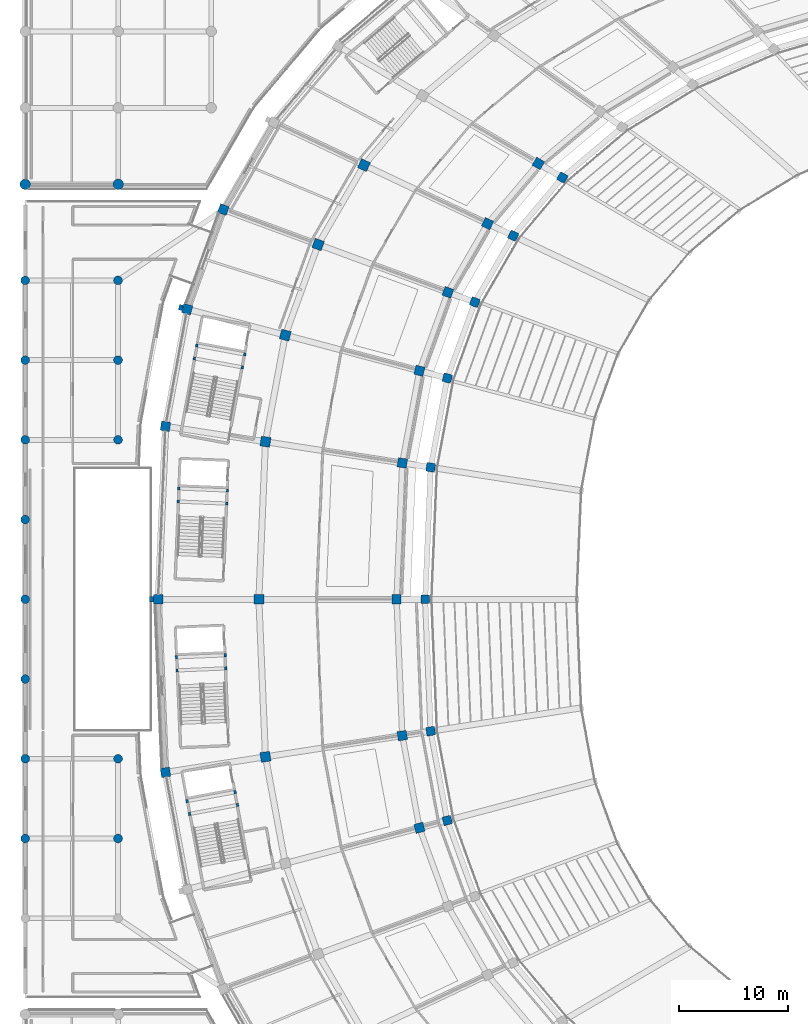
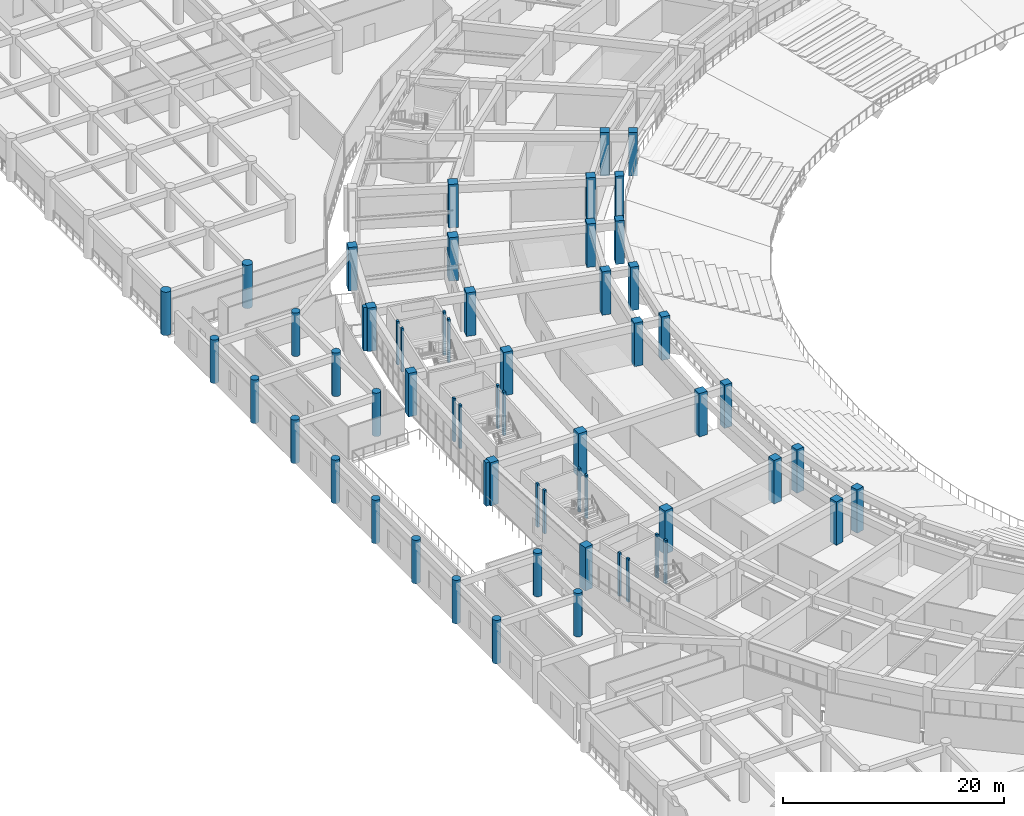
# One storey, part 3 of 152: 60 columns.
"""IFC4 building model written with IfcOpenShell, lengths in metres."""

from ifc_helpers import new_model, si_unit, direction, frame, origin, origin_2d, place, context, subcontext, project, spatial, rectangle, circle, extrude, material, material_profile, profile_set, type_object, element, save


model = new_model("IFC4")

# Units and contexts
model_context = context("Model", 3, precision=1e-05, world=origin(), true_north=direction((0.0, 1.0)))
body_context = subcontext(model_context, "Body", "Model", "MODEL_VIEW")
ifc_project = project(units=[si_unit("LENGTHUNIT", "METRE"), si_unit("AREAUNIT", "SQUARE_METRE"), si_unit("VOLUMEUNIT", "CUBIC_METRE"), si_unit("PLANEANGLEUNIT", "RADIAN"), si_unit("MASSUNIT", "GRAM", prefix="KILO")], contexts=[model_context])

# Site, building, storey
site_placement = place(None, origin())
site = spatial("IfcSite", under=ifc_project, at=site_placement, CompositionType="ELEMENT")
building_placement = place(site_placement, origin())
building = spatial("IfcBuilding", under=site, at=building_placement, Name="Mphavela Belvedere Stadium", CompositionType="ELEMENT")
storey_placement = place(building_placement, frame((0.0, 0.0, 5.39990234375)))
storey = spatial("IfcBuildingStorey", under=building, at=storey_placement, Name="L01", CompositionType="ELEMENT", Elevation=5.39990234375)

# Columns
ifc_material_1 = material(Name="Concrete C40/50", Category="concrete")
ifc_material_profile_1 = material_profile(ifc_material_1, rectangle(XDim=0.300048828125, YDim=0.219970703125, at=origin_2d()), Name="RC 300x220")
ifc_profile_set_1 = profile_set([ifc_material_profile_1], Name="Concrete C40/50")
column_type_1 = type_object("IfcColumnType", Name="COL-CORE-POST-300", PredefinedType="COLUMN", material=ifc_profile_set_1)
for number, where, z_axis, x_axis, name in (
    (1, (19.88623046875, 108.2353515625, 0.0), (0.0, 0.0, 1.0), (0.182578735093, 0.983191235463, 0.0), "Core C06 stair frame column L01-1"),
    (2, (20.105224609375, 109.415283203125, 0.0), (0.0, 0.0, 1.0), (0.182578735093, 0.983191235463, 0.0), "Core C06 stair frame column L01-2"),
    (3, (15.71044921875, 110.231201171875, 0.0), (0.0, 0.0, 1.0), (0.182578735093, 0.983191235463, 0.0), "Core C06 stair frame column L01-3"),
    (4, (15.491455078125, 109.051513671875, 0.0), (0.0, 0.0, 1.0), (0.182578735093, 0.983191235463, 0.0), "Core C06 stair frame column L01-4"),
    (5, (18.47021484375, 95.76318359375, 0.0), (0.0, 0.0, 1.0), (0.041875653729, 0.999122830099, 0.0), "Core C07 stair frame column L01-1"),
    (6, (18.5205078125, 96.96240234375, 0.0), (0.0, 0.0, 1.0), (0.041875653729, 0.999122830099, 0.0), "Core C07 stair frame column L01-2"),
    (7, (14.05419921875, 97.1494140625, 0.0), (0.0, 0.0, 1.0), (0.041875653729, 0.999122830099, 0.0), "Core C07 stair frame column L01-3"),
    (8, (14.004150390625, 95.950439453125, 0.0), (0.0, 0.0, 1.0), (0.041875653729, 0.999122830099, 0.0), "Core C07 stair frame column L01-4"),
    (9, (18.367919921875, 80.674560546875, 0.0), (0.0, 0.0, 1.0), (-0.041875653729, 0.999122830099, 0.0), "Core C08 stair frame column L01-1"),
    (10, (18.317626953125, 81.87353515625, 0.0), (0.0, 0.0, 1.0), (-0.041875653729, 0.999122830099, 0.0), "Core C08 stair frame column L01-2"),
    (11, (13.8515625, 81.686279296875, 0.0), (0.0, 0.0, 1.0), (-0.041875653729, 0.999122830099, 0.0), "Core C08 stair frame column L01-3"),
    (12, (13.90185546875, 80.4873046875, 0.0), (0.0, 0.0, 1.0), (-0.041875653729, 0.999122830099, 0.0), "Core C08 stair frame column L01-4"),
    (13, (19.440673828125, 68.16357421875, 0.0), (0.0, 0.0, 1.0), (-0.182578735093, 0.983191235463, 0.0), "Core C09 stair frame column L01-1"),
    (14, (19.2216796875, 69.343505859375, 0.0), (0.0, 0.0, 1.0), (-0.182578735093, 0.983191235463, 0.0), "Core C09 stair frame column L01-2"),
    (15, (14.82666015625, 68.52734375, 0.0), (0.0, 0.0, 1.0), (-0.182578735093, 0.983191235463, 0.0), "Core C09 stair frame column L01-3"),
    (16, (15.0458984375, 67.347412109375, 0.0), (0.0, 0.0, 1.0), (-0.182578735093, 0.983191235463, 0.0), "Core C09 stair frame column L01-4"),
):
    element("IfcColumn", number, at=place(storey_placement, frame(where, z_axis=z_axis, x_axis=x_axis)), inside=storey, type_object=column_type_1, Name=name, PredefinedType="COLUMN", context=body_context, shape_type="SweptSolid", body=[
        extrude(rectangle(XDim=0.300048828125, YDim=0.219970703125, at=origin_2d()), origin(), (0.0, 0.0, 1.0), 4.800048828125),
    ])
ifc_material_2 = material(Name="Concrete C40/50", Category="concrete")
ifc_material_profile_2 = material_profile(ifc_material_2, circle(Radius=0.47509765625, at=origin_2d()), Name="COL D950")
ifc_profile_set_2 = profile_set([ifc_material_profile_2], Name="Concrete C40/50")
column_type_2 = type_object("IfcColumnType", Name="COL-DORIC-950", PredefinedType="COLUMN", material=ifc_profile_set_2)
for number, where, z_axis, x_axis, name in (
    (17, (0.0, 125.0, 0.0), (0.0, 0.0, 1.0), (1.0, 0.0, 0.0), "North Mast and Ceremonial End Forecourt classical column L01 1-1"),
    (18, (8.51904296875, 125.0, 0.0), (0.0, 0.0, 1.0), (1.0, 0.0, 0.0), "North Mast and Ceremonial End Forecourt classical column L01 2-1"),
):
    element("IfcColumn", number, at=place(storey_placement, frame(where, z_axis=z_axis, x_axis=x_axis)), inside=storey, type_object=column_type_2, Name=name, PredefinedType="COLUMN", context=body_context, shape_type="SweptSolid", body=[
        extrude(circle(Radius=0.47509765625, at=origin_2d()), origin(), (0.0, 0.0, 1.0), 4.800048828125),
    ])
ifc_material_3 = material(Name="Concrete C40/50", Category="concrete")
ifc_material_profile_3 = material_profile(ifc_material_3, circle(Radius=0.39990234375, at=origin_2d()), Name="COL D800")
ifc_profile_set_3 = profile_set([ifc_material_profile_3], Name="Concrete C40/50")
column_type_3 = type_object("IfcColumnType", Name="COL-PERISTYLE-800", PredefinedType="COLUMN", material=ifc_profile_set_3)
for number, where, z_axis, x_axis, name in (
    (19, (0.0, 65.10009765625, 0.0), (0.0, 0.0, 1.0), (1.0, 0.0, 0.0), "West Planted Eaves Peristyle Colonnade classical column L01 1-3"),
    (20, (0.0, 72.39990234375, 0.0), (0.0, 0.0, 1.0), (1.0, 0.0, 0.0), "West Planted Eaves Peristyle Colonnade classical column L01 1-4"),
    (21, (0.0, 79.699951171875, 0.0), (0.0, 0.0, 1.0), (1.0, 0.0, 0.0), "West Planted Eaves Peristyle Colonnade classical column L01 1-5"),
    (22, (0.0, 87.0, 0.0), (0.0, 0.0, 1.0), (1.0, 0.0, 0.0), "West Planted Eaves Peristyle Colonnade classical column L01 1-6"),
    (23, (0.0, 94.300048828125, 0.0), (0.0, 0.0, 1.0), (1.0, 0.0, 0.0), "West Planted Eaves Peristyle Colonnade classical column L01 1-7"),
    (24, (0.0, 101.60009765625, 0.0), (0.0, 0.0, 1.0), (1.0, 0.0, 0.0), "West Planted Eaves Peristyle Colonnade classical column L01 1-8"),
    (25, (0.0, 108.89990234375, 0.0), (0.0, 0.0, 1.0), (1.0, 0.0, 0.0), "West Planted Eaves Peristyle Colonnade classical column L01 1-9"),
    (26, (0.0, 116.199951171875, 0.0), (0.0, 0.0, 1.0), (1.0, 0.0, 0.0), "West Planted Eaves Peristyle Colonnade classical column L01 1-10"),
    (27, (8.5, 65.10009765625, 0.0), (0.0, 0.0, 1.0), (1.0, 0.0, 0.0), "West Planted Eaves Peristyle Colonnade classical column L01 2-3"),
    (28, (8.5, 72.39990234375, 0.0), (0.0, 0.0, 1.0), (1.0, 0.0, 0.0), "West Planted Eaves Peristyle Colonnade classical column L01 2-4"),
    (29, (8.5, 101.60009765625, 0.0), (0.0, 0.0, 1.0), (1.0, 0.0, 0.0), "West Planted Eaves Peristyle Colonnade classical column L01 2-8"),
    (30, (8.5, 108.89990234375, 0.0), (0.0, 0.0, 1.0), (1.0, 0.0, 0.0), "West Planted Eaves Peristyle Colonnade classical column L01 2-9"),
    (31, (8.5, 116.199951171875, 0.0), (0.0, 0.0, 1.0), (1.0, 0.0, 0.0), "West Planted Eaves Peristyle Colonnade classical column L01 2-10"),
):
    element("IfcColumn", number, at=place(storey_placement, frame(where, z_axis=z_axis, x_axis=x_axis)), inside=storey, type_object=column_type_3, Name=name, PredefinedType="COLUMN", context=body_context, shape_type="SweptSolid", body=[
        extrude(circle(Radius=0.39990234375, at=origin_2d()), origin(), (0.0, 0.0, 1.0), 4.800048828125),
    ])
ifc_material_4 = material(Name="Concrete C40/50", Category="concrete")
ifc_material_profile_4 = material_profile(ifc_material_4, rectangle(XDim=0.800048828125, YDim=0.800048828125, at=origin_2d()), Name="RC 800x800")
ifc_profile_set_4 = profile_set([ifc_material_profile_4], Name="Concrete C40/50")
column_type_4 = type_object("IfcColumnType", Name="COL-RC800", PredefinedType="COLUMN", material=ifc_profile_set_4)
for number, where, z_axis, x_axis, name in (
    (32, (49.1875, 125.611328125, 0.0), (0.0, 0.0, 1.0), (-0.862513669207, 0.506033764121, 0.0), "Inner concourse column L01 R1-20"),
    (33, (44.68701171875, 120.281494140625, 0.0), (0.0, 0.0, 1.0), (-0.903858661687, 0.4278311813, 0.0), "Inner concourse column L01 R1-21"),
    (34, (41.170166015625, 114.19921875, 0.0), (0.0, 0.0, 1.0), (-0.938372433776, 0.34562577382, 0.0), "Inner concourse column L01 R1-22"),
    (35, (38.648193359375, 107.24755859375, 0.0), (0.0, 0.0, 1.0), (-0.966600102017, 0.256289373133, 0.0), "Inner concourse column L01 R1-23"),
    (36, (37.130615234375, 99.078125, 0.0), (0.0, 0.0, 1.0), (-0.98817491911, 0.153330783737, 0.0), "Inner concourse column L01 R1-24"),
    (37, (36.6240234375, 87.0, 0.0), (0.0, 0.0, 1.0), (-1.0, 0.0, 0.0), "Inner concourse column L01 R1-25"),
    (38, (37.130615234375, 74.921875, 0.0), (0.0, 0.0, 1.0), (-0.98817491911, -0.153330783737, 0.0), "Inner concourse column L01 R1-26"),
    (39, (38.648193359375, 66.75244140625, 0.0), (0.0, 0.0, 1.0), (-0.966600102017, -0.256289373133, 0.0), "Inner concourse column L01 R1-27"),
):
    element("IfcColumn", number, at=place(storey_placement, frame(where, z_axis=z_axis, x_axis=x_axis)), inside=storey, type_object=column_type_4, Name=name, PredefinedType="COLUMN", context=body_context, shape_type="SweptSolid", body=[
        extrude(rectangle(XDim=0.800048828125, YDim=0.800048828125, at=origin_2d()), origin(), (0.0, 0.0, 1.0), 4.800048828125),
    ])
ifc_material_5 = material(Name="Concrete C40/50", Category="concrete")
ifc_material_profile_5 = material_profile(ifc_material_5, rectangle(XDim=0.85009765625, YDim=0.85009765625, at=origin_2d()), Name="RC 850x850")
ifc_profile_set_5 = profile_set([ifc_material_profile_5], Name="Concrete C40/50")
column_type_5 = type_object("IfcColumnType", Name="COL-RC850", PredefinedType="COLUMN", material=ifc_profile_set_5)
for number, where, z_axis, x_axis, name in (
    (40, (46.98828125, 126.901611328125, 0.0), (0.0, 0.0, 1.0), (-0.862513669207, 0.506033764121, 0.0), "Middle concourse column L01 R2-20"),
    (41, (42.33740234375, 121.393798828125, 0.0), (0.0, 0.0, 1.0), (-0.903858661687, 0.4278311813, 0.0), "Middle concourse column L01 R2-21"),
    (42, (38.702880859375, 115.108154296875, 0.0), (0.0, 0.0, 1.0), (-0.938372433776, 0.34562577382, 0.0), "Middle concourse column L01 R2-22"),
    (43, (18.143798828125, 122.682373046875, 0.0), (0.0, 0.0, 1.0), (-0.938372433776, 0.34562577382, 0.0), "Outer colonnade column L01 R4-22"),
    (44, (36.0966796875, 107.92431640625, 0.0), (0.0, 0.0, 1.0), (-0.966600102017, 0.256289373133, 0.0), "Middle concourse column L01 R2-23"),
    (45, (14.83544921875, 113.5625, 0.0), (0.0, 0.0, 1.0), (-0.966600102017, 0.256289373133, 0.0), "Outer colonnade column L01 R4-23"),
    (46, (34.528564453125, 99.481689453125, 0.0), (0.0, 0.0, 1.0), (-0.98817491911, 0.153330783737, 0.0), "Middle concourse column L01 R2-24"),
    (47, (12.844482421875, 102.844970703125, 0.0), (0.0, 0.0, 1.0), (-0.98817491911, 0.153330783737, 0.0), "Outer colonnade column L01 R4-24"),
    (48, (34.0048828125, 87.0, 0.0), (0.0, 0.0, 1.0), (-1.0, 0.0, 0.0), "Middle concourse column L01 R2-25"),
    (49, (12.179931640625, 87.0, 0.0), (0.0, 0.0, 1.0), (-1.0, 0.0, 0.0), "Outer colonnade column L01 R4-25"),
    (50, (34.528564453125, 74.518310546875, 0.0), (0.0, 0.0, 1.0), (-0.98817491911, -0.153330783737, 0.0), "Middle concourse column L01 R2-26"),
    (51, (12.844482421875, 71.155029296875, 0.0), (0.0, 0.0, 1.0), (-0.98817491911, -0.153330783737, 0.0), "Outer colonnade column L01 R4-26"),
    (52, (36.0966796875, 66.07568359375, 0.0), (0.0, 0.0, 1.0), (-0.966600102017, -0.256289373133, 0.0), "Middle concourse column L01 R2-27"),
):
    element("IfcColumn", number, at=place(storey_placement, frame(where, z_axis=z_axis, x_axis=x_axis)), inside=storey, type_object=column_type_5, Name=name, PredefinedType="COLUMN", context=body_context, shape_type="SweptSolid", body=[
        extrude(rectangle(XDim=0.85009765625, YDim=0.85009765625, at=origin_2d()), origin(), (0.0, 0.0, 1.0), 4.800048828125),
    ])
ifc_material_6 = material(Name="Concrete C40/50", Category="concrete")
ifc_material_profile_6 = material_profile(ifc_material_6, rectangle(XDim=0.89990234375, YDim=0.89990234375, at=origin_2d()), Name="RC 900x900")
ifc_profile_set_6 = profile_set([ifc_material_profile_6], Name="Concrete C40/50")
column_type_6 = type_object("IfcColumnType", Name="COL-RC900", PredefinedType="COLUMN", material=ifc_profile_set_6)
for number, where, z_axis, x_axis, name in (
    (53, (31.0244140625, 126.748291015625, 0.0), (0.0, 0.0, 1.0), (-0.903858661687, 0.4278311813, 0.0), "Main bowl column L01 R3-21"),
    (54, (26.824462890625, 119.484375, 0.0), (0.0, 0.0, 1.0), (-0.938372433776, 0.34562577382, 0.0), "Main bowl column L01 R3-22"),
    (55, (23.8125, 111.181884765625, 0.0), (0.0, 0.0, 1.0), (-0.966600102017, 0.256289373133, 0.0), "Main bowl column L01 R3-23"),
    (56, (22.0, 101.4248046875, 0.0), (0.0, 0.0, 1.0), (-0.98817491911, 0.153330783737, 0.0), "Main bowl column L01 R3-24"),
    (57, (21.39501953125, 87.0, 0.0), (0.0, 0.0, 1.0), (-1.0, 0.0, 0.0), "Main bowl column L01 R3-25"),
    (58, (22.0, 72.5751953125, 0.0), (0.0, 0.0, 1.0), (-0.98817491911, -0.153330783737, 0.0), "Main bowl column L01 R3-26"),
):
    element("IfcColumn", number, at=place(storey_placement, frame(where, z_axis=z_axis, x_axis=x_axis)), inside=storey, type_object=column_type_6, Name=name, PredefinedType="COLUMN", context=body_context, shape_type="SweptSolid", body=[
        extrude(rectangle(XDim=0.89990234375, YDim=0.89990234375, at=origin_2d()), origin(), (0.0, 0.0, 1.0), 4.800048828125),
    ])
ifc_material_7 = material(Name="Concrete C40/50", Category="concrete")
ifc_material_profile_7 = material_profile(ifc_material_7, rectangle(XDim=0.5, YDim=0.35009765625, at=origin_2d()), Name="PIL 500x350")
ifc_profile_set_7 = profile_set([ifc_material_profile_7], Name="Concrete C40/50")
column_type_7 = type_object("IfcColumnType", Name="PIL-FLUTED-500", PredefinedType="PILASTER", material=ifc_profile_set_7)
for number, where, z_axis, x_axis, name in (
    (59, (14.25244140625, 113.717041015625, 0.0), (0.0, 0.0, 1.0), (-0.256289373133, -0.966600102017, 0.0), "Fluted classical pilaster L01-23"),
    (60, (11.576904296875, 87.0, 0.0), (0.0, 0.0, 1.0), (0.0, -1.0, 0.0), "Fluted classical pilaster L01-25"),
):
    element("IfcColumn", number, at=place(storey_placement, frame(where, z_axis=z_axis, x_axis=x_axis)), inside=storey, type_object=column_type_7, Name=name, PredefinedType="PILASTER", context=body_context, shape_type="SweptSolid", body=[
        extrude(rectangle(XDim=0.5, YDim=0.35009765625, at=origin_2d()), origin(), (0.0, 0.0, 1.0), 4.800048828125),
    ])

save(model, "model.ifc")
